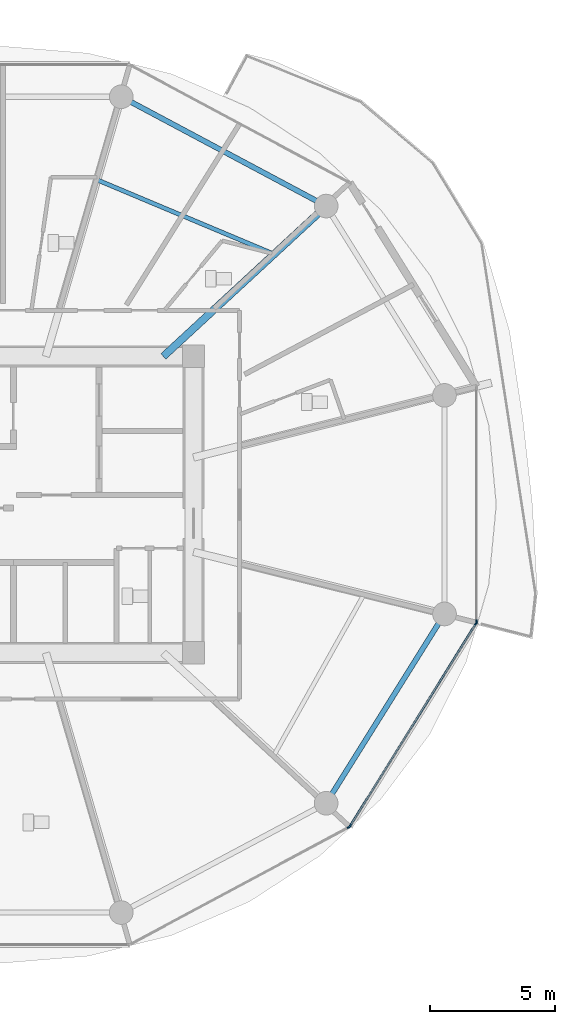
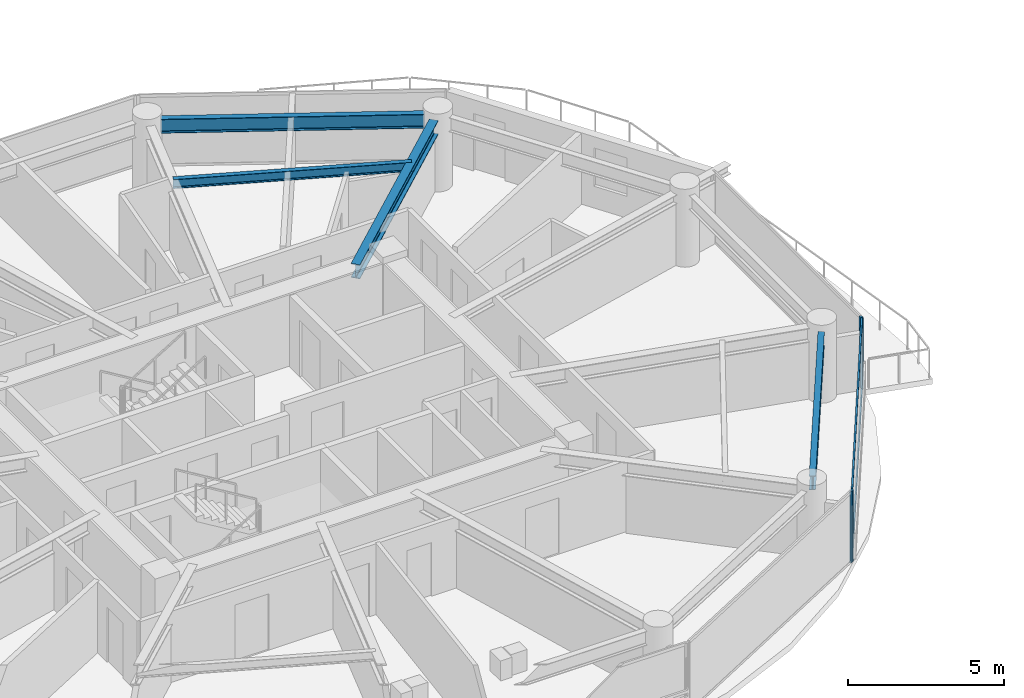
# One storey, part 5 of 26: 6 members, 4 beams, 3 elements without a shape of their own.
"""IFC4 building model written with IfcOpenShell, lengths in metres."""

from ifc_helpers import new_model, si_unit, direction, frame, origin, origin_2d, place, context, subcontext, project, spatial, rectangle, i_section, extrude, source, transform, mapped, material, layer, layer_set, material_profile, profile_set, type_object, type_shapes, element, aggregate, save


model = new_model("IFC4")

# Units and contexts
model_context = context("Model", 3, precision=1e-05, world=origin(), true_north=direction((0.0, 1.0)))
body_context = subcontext(model_context, "Body", "Model", "MODEL_VIEW")
ifc_project = project(units=[si_unit("LENGTHUNIT", "METRE"), si_unit("AREAUNIT", "SQUARE_METRE"), si_unit("VOLUMEUNIT", "CUBIC_METRE"), si_unit("PLANEANGLEUNIT", "RADIAN"), si_unit("MASSUNIT", "GRAM", prefix="KILO")], contexts=[model_context])

# Site, building, storey
site_placement = place(None, origin())
site = spatial("IfcSite", under=ifc_project, at=site_placement, CompositionType="ELEMENT")
building_placement = place(site_placement, origin())
building = spatial("IfcBuilding", under=site, at=building_placement, Name="Norrkilde Senior Care Towers", CompositionType="ELEMENT")
storey_placement = place(building_placement, frame((0.0, 0.0, 67.35009765625)))
storey = spatial("IfcBuildingStorey", under=building, at=storey_placement, Name="L20", CompositionType="ELEMENT", Elevation=67.35009765625)

# Beams
ifc_material_1 = material(Name="Steel S355", Category="steel")
ifc_material_profile_1 = material_profile(ifc_material_1, i_section(OverallWidth=0.2099609375, OverallDepth=0.550048828125, WebThickness=0.010986328125, FlangeThickness=0.01708984375, FilletRadius=0.02392578125, at=origin_2d()), Name="IPE 550")
ifc_profile_set_1 = profile_set([ifc_material_profile_1], Name="Steel S355")
beam_type_1 = type_object("IfcBeamType", Name="Perimeter Ring Spandrel Z1 IPE550", PredefinedType="SPANDREL", material=ifc_profile_set_1)
shared_shape_1 = source(origin(), body_context, "Body", "SweptSolid", [
    extrude(i_section(OverallWidth=0.2099609375, OverallDepth=0.550048828125, WebThickness=0.010986328125, FlangeThickness=0.01708984375, FilletRadius=0.02392578125, at=origin_2d()), origin(), (0.0, 0.0, 1.0), 8.090576171875),
])
beam_1_placement = place(storey_placement, frame((-14.7939453125, -11.61669921875, 2.514892578125), z_axis=(0.530004364821, 0.84799491347, 0.0), x_axis=(-0.84799491347, 0.530004364821, 0.0)))
element("IfcBeam", 1, at=beam_1_placement, inside=storey, type_object=beam_type_1, Name="L20 Drum W Perimeter Spandrel 11", PredefinedType="SPANDREL", context=body_context, shape_type="MappedRepresentation", body=[
    mapped(shared_shape_1, transform((0.0, 0.0, 0.0), x_axis=(1.0, 0.0, 0.0), y_axis=(0.0, 1.0, 0.0), z_axis=(0.0, 0.0, 1.0), scale=1.0)),
])
shared_shape_2 = source(origin(), body_context, "Body", "SweptSolid", [
    extrude(i_section(OverallWidth=0.2099609375, OverallDepth=0.550048828125, WebThickness=0.010986328125, FlangeThickness=0.01708984375, FilletRadius=0.02392578125, at=origin_2d()), origin(), (0.0, 0.0, 1.0), 8.452880859375),
])
type_shapes(beam_type_1, [shared_shape_1, shared_shape_2])
beam_2_placement = place(storey_placement, frame((-15.408447265625, 12.190185546875, 2.514892578125), z_axis=(-0.882368931134, 0.470558252898, 0.0), x_axis=(-0.470558252898, -0.882368931134, 0.0)))
element("IfcBeam", 2, at=beam_2_placement, inside=storey, type_object=beam_type_1, Name="L20 Drum W Perimeter Spandrel 02", PredefinedType="SPANDREL", context=body_context, shape_type="MappedRepresentation", body=[
    mapped(shared_shape_2, transform((0.0, 0.0, 0.0), x_axis=(1.0, 0.0, 0.0), y_axis=(0.0, 1.0, 0.0), z_axis=(0.0, 0.0, 1.0), scale=1.0)),
])
ifc_material_profile_2 = material_profile(ifc_material_1, i_section(OverallWidth=0.300048828125, OverallDepth=0.550048828125, WebThickness=0.014892578125, FlangeThickness=0.029052734375, FilletRadius=0.027099609375, at=origin_2d()), Name="HEB 550")
ifc_profile_set_2 = profile_set([ifc_material_profile_2], Name="Steel S355")
beam_type_2 = type_object("IfcBeamType", Name="Radial Floor Beam Z1 HEB550", PredefinedType="BEAM", material=ifc_profile_set_2)
shared_shape_3 = source(origin(), body_context, "Body", "SweptSolid", [
    extrude(i_section(OverallWidth=0.300048828125, OverallDepth=0.550048828125, WebThickness=0.014892578125, FlangeThickness=0.029052734375, FilletRadius=0.027099609375, at=origin_2d()), origin(), (0.0, 0.0, 1.0), 8.459716796875),
])
type_shapes(beam_type_2, [shared_shape_3])
beam_3_placement = place(storey_placement, frame((-21.55859375, 5.949951171875, 2.514892578125), z_axis=(0.734573269108, 0.678529374686, 0.0), x_axis=(-0.678529374686, 0.734573269108, 0.0)))
element("IfcBeam", 3, at=beam_3_placement, inside=storey, type_object=beam_type_2, Name="L20 Drum W Radial Floor Beam 02", PredefinedType="BEAM", context=body_context, shape_type="MappedRepresentation", body=[
    mapped(shared_shape_3, transform((0.0, 0.0, 0.0), x_axis=(1.0, 0.0, 0.0), y_axis=(0.0, 1.0, 0.0), z_axis=(0.0, 0.0, 1.0), scale=1.0)),
])
ifc_material_profile_3 = material_profile(ifc_material_1, i_section(OverallWidth=0.169921875, OverallDepth=0.360107421875, WebThickness=0.008056640625, FlangeThickness=0.0126953125, FilletRadius=0.01806640625, at=origin_2d()), Name="IPE 360")
ifc_profile_set_3 = profile_set([ifc_material_profile_3], Name="Steel S355")
beam_type_3 = type_object("IfcBeamType", Name="Secondary Floor Joist IPE360", PredefinedType="JOIST", material=ifc_profile_set_3)
shared_shape_4 = source(origin(), body_context, "Body", "SweptSolid", [
    extrude(i_section(OverallWidth=0.169921875, OverallDepth=0.360107421875, WebThickness=0.008056640625, FlangeThickness=0.0126953125, FilletRadius=0.01806640625, at=origin_2d()), origin(), (0.0, 0.0, 1.0), 7.703857421875),
])
type_shapes(beam_type_3, [shared_shape_4])
beam_4_placement = place(storey_placement, frame((-17.115478515625, 10.05419921875, 2.60986328125), z_axis=(-0.921982784465, 0.387230868023, 0.0), x_axis=(-0.387230868023, -0.921982784465, 0.0)))
element("IfcBeam", 4, at=beam_4_placement, inside=storey, type_object=beam_type_3, Name="L20 Drum W Secondary Floor Joist 1", PredefinedType="JOIST", context=body_context, shape_type="MappedRepresentation", body=[
    mapped(shared_shape_4, transform((0.0, 0.0, 0.0), x_axis=(1.0, 0.0, 0.0), y_axis=(0.0, 1.0, 0.0), z_axis=(0.0, 0.0, 1.0), scale=1.0)),
])

# Curtain wall, member
ifc_material_2 = material(Name="Triple Low-E Insulated Glazing", Category="glass")
ifc_layer = layer(ifc_material_2, 0.199951171875)
ifc_layer_set = layer_set([ifc_layer], Name="Triple Low-E Insulated Glazing")
curtain_wall_type = type_object("IfcCurtainWallType", Name="CW2 Zone 1 Memory Care Curtain Wall", PredefinedType="NOTDEFINED", material=ifc_layer_set)
curtain_wall_1_placement = place(storey_placement, origin())
curtain_wall_1 = element("IfcCurtainWall", 5, at=curtain_wall_1_placement, inside=storey, type_object=curtain_wall_type, Name="L20 Drum W Curtain Wall 09", PredefinedType="NOTDEFINED")
ifc_material_3 = material(Name="Anodised Aluminium", Category="aluminium")
ifc_material_profile_4 = material_profile(ifc_material_3, rectangle(XDim=0.06494140625, YDim=0.159912109375, at=origin_2d()), Name="ALU MULL 65x160")
ifc_profile_set_4 = profile_set([ifc_material_profile_4], Name="Anodised Aluminium")
member_type_1 = type_object("IfcMemberType", Name="Curtain Wall Mullion Z1-Z2 65x160", PredefinedType="MULLION", material=ifc_profile_set_4)
shared_shape_5 = source(origin(), body_context, "Body", "SweptSolid", [
    extrude(rectangle(XDim=0.06494140625, YDim=0.159912109375, at=origin_2d()), origin(), (0.0, 0.0, 1.0), 2.789794921875),
])
type_shapes(member_type_1, [shared_shape_5])
member_1_placement = place(storey_placement, frame((-14.11279296875, -12.941162109375, 0.0), z_axis=(0.0, 0.0, 1.0), x_axis=(0.472607802456, -0.881272866403, 0.0)))
member_1 = element("IfcMember", 6, at=member_1_placement, type_object=member_type_1, Name="CW-2 mullion 1", PredefinedType="MULLION", context=body_context, shape_type="MappedRepresentation", body=[
    mapped(shared_shape_5, transform((0.0, 0.0, 0.0), x_axis=(1.0, 0.0, 0.0), y_axis=(0.0, 1.0, 0.0), z_axis=(0.0, 0.0, 1.0), scale=1.0)),
])
aggregate(curtain_wall_1, [member_1])

# Curtain wall, members
curtain_wall_2_placement = place(storey_placement, origin())
curtain_wall_2 = element("IfcCurtainWall", 7, at=curtain_wall_2_placement, inside=storey, type_object=curtain_wall_type, Name="L20 Drum W Curtain Wall 10", PredefinedType="NOTDEFINED")
member_2_placement = place(storey_placement, frame((-9.0078125, -4.7587890625, 0.0), z_axis=(0.0, 0.0, 1.0), x_axis=(0.849305943117, -0.527900951871, 0.0)))
member_2 = element("IfcMember", 8, at=member_2_placement, type_object=member_type_1, Name="CW-2 mullion 1", PredefinedType="MULLION", context=body_context, shape_type="MappedRepresentation", body=[
    mapped(shared_shape_5, transform((0.0, 0.0, 0.0), x_axis=(1.0, 0.0, 0.0), y_axis=(0.0, 1.0, 0.0), z_axis=(0.0, 0.0, 1.0), scale=1.0)),
])
member_3_placement = place(storey_placement, frame((-14.06689453125, -12.898193359375, 0.0), z_axis=(0.0, 0.0, 1.0), x_axis=(0.849305943117, -0.527900951871, 0.0)))
member_3 = element("IfcMember", 9, at=member_3_placement, type_object=member_type_1, Name="CW-2 mullion 2", PredefinedType="MULLION", context=body_context, shape_type="MappedRepresentation", body=[
    mapped(shared_shape_5, transform((0.0, 0.0, 0.0), x_axis=(1.0, 0.0, 0.0), y_axis=(0.0, 1.0, 0.0), z_axis=(0.0, 0.0, 1.0), scale=1.0)),
])

# Curtain wall, member
curtain_wall_3_placement = place(storey_placement, origin())
curtain_wall_3 = element("IfcCurtainWall", 10, at=curtain_wall_3_placement, inside=storey, type_object=curtain_wall_type, Name="L20 Drum W Curtain Wall 11", PredefinedType="NOTDEFINED")
member_4_placement = place(storey_placement, frame((-8.990478515625, -4.69873046875, 0.0), z_axis=(0.0, 0.0, 1.0), x_axis=(1.0, 0.0, 0.0)))
member_4 = element("IfcMember", 11, at=member_4_placement, type_object=member_type_1, Name="CW-2 mullion 2", PredefinedType="MULLION", context=body_context, shape_type="MappedRepresentation", body=[
    mapped(shared_shape_5, transform((0.0, 0.0, 0.0), x_axis=(1.0, 0.0, 0.0), y_axis=(0.0, 1.0, 0.0), z_axis=(0.0, 0.0, 1.0), scale=1.0)),
])
aggregate(curtain_wall_3, [member_4])

# Member
ifc_material_profile_5 = material_profile(ifc_material_3, rectangle(XDim=0.06005859375, YDim=0.1201171875, at=origin_2d()), Name="ALU TRAN 60x120")
ifc_profile_set_5 = profile_set([ifc_material_profile_5], Name="Anodised Aluminium")
member_type_2 = type_object("IfcMemberType", Name="Curtain Wall Transom Typical 60x120", PredefinedType="USERDEFINED", material=ifc_profile_set_5)
shared_shape_6 = source(origin(), body_context, "Body", "SweptSolid", [
    extrude(rectangle(XDim=0.06005859375, YDim=0.1201171875, at=origin_2d()), origin(), (0.0, 0.0, 1.0), 9.5185546875),
])
type_shapes(member_type_2, [shared_shape_6])
member_5_placement = place(storey_placement, frame((-9.02490234375, -4.786376953125, 0.02978515625), z_axis=(-0.527901620669, -0.849305527413, 0.0), x_axis=(0.849305527413, -0.527901620669, 0.0)))
member_5 = element("IfcMember", 12, at=member_5_placement, type_object=member_type_2, Name="CW-2 transom 1.1", ObjectType="TRANSOM", PredefinedType="USERDEFINED", context=body_context, shape_type="MappedRepresentation", body=[
    mapped(shared_shape_6, transform((0.0, 0.0, 0.0), x_axis=(1.0, 0.0, 0.0), y_axis=(0.0, 1.0, 0.0), z_axis=(0.0, 0.0, 1.0), scale=1.0)),
])

member_6_placement = place(storey_placement, frame((-9.02490234375, -4.786376953125, 2.760009765625), z_axis=(-0.527901620669, -0.849305527413, 0.0), x_axis=(0.849305527413, -0.527901620669, 0.0)))
member_6 = element("IfcMember", 13, at=member_6_placement, type_object=member_type_2, Name="CW-2 transom 1.2", ObjectType="TRANSOM", PredefinedType="USERDEFINED", context=body_context, shape_type="MappedRepresentation", body=[
    mapped(shared_shape_6, transform((0.0, 0.0, 0.0), x_axis=(1.0, 0.0, 0.0), y_axis=(0.0, 1.0, 0.0), z_axis=(0.0, 0.0, 1.0), scale=1.0)),
])

aggregate(curtain_wall_2, [member_2, member_3, member_5, member_6])

save(model, "model.ifc")
